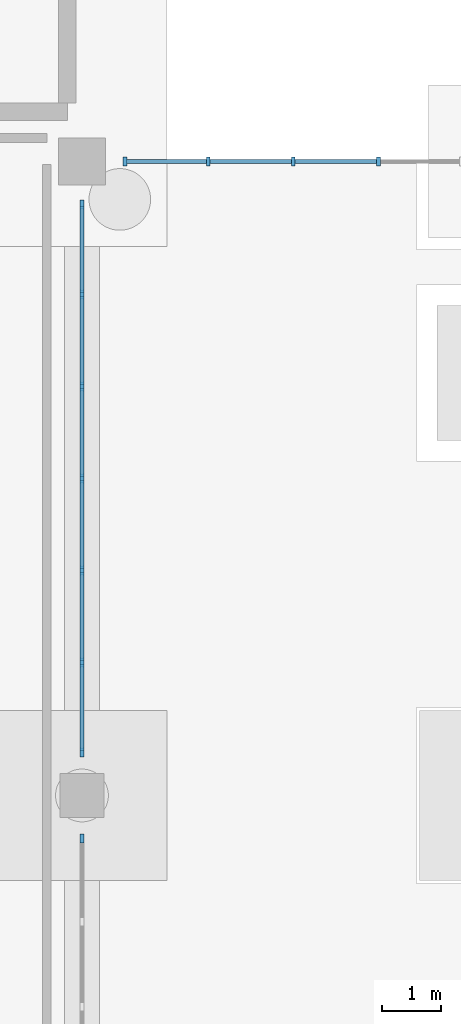
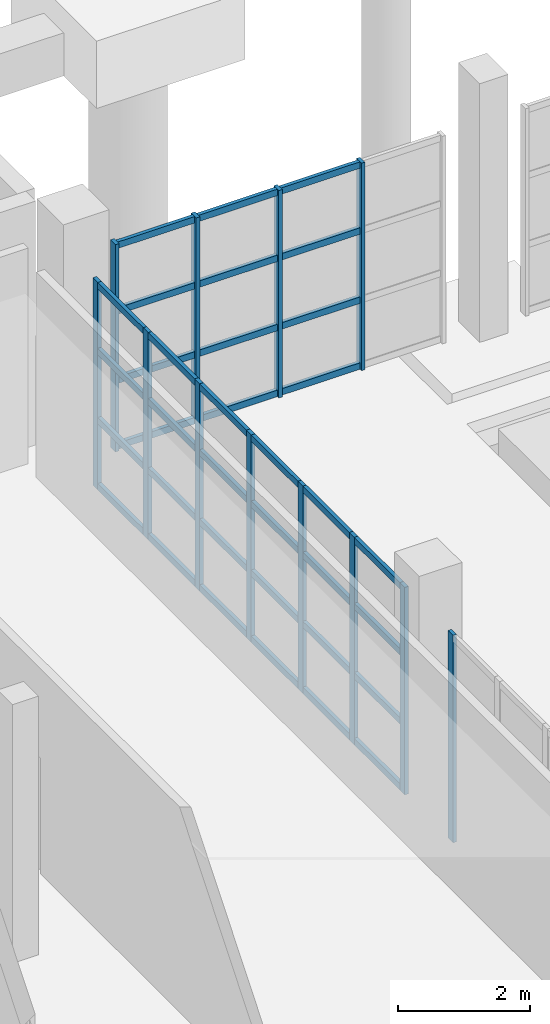
# One storey, part 45 of 285: 48 members, 3 elements without a shape of their own.
"""IFC4 building model written with IfcOpenShell, lengths in metres."""

from ifc_helpers import new_model, si_unit, direction, frame, origin, origin_2d, place, context, subcontext, project, spatial, rectangle, extrude, material, material_profile, profile_set, type_object, element, aggregate, save


model = new_model("IFC4")

# Units and contexts
model_context = context("Model", 3, precision=1e-05, world=origin(), true_north=direction((0.0, 1.0)))
body_context = subcontext(model_context, "Body", "Model", "MODEL_VIEW")
ifc_project = project(units=[si_unit("LENGTHUNIT", "METRE"), si_unit("AREAUNIT", "SQUARE_METRE"), si_unit("VOLUMEUNIT", "CUBIC_METRE"), si_unit("PLANEANGLEUNIT", "RADIAN"), si_unit("MASSUNIT", "GRAM", prefix="KILO")], contexts=[model_context])

# Site, building, storey
site_placement = place(None, origin())
site = spatial("IfcSite", under=ifc_project, at=site_placement, CompositionType="ELEMENT")
building_placement = place(site_placement, origin())
building = spatial("IfcBuilding", under=site, at=building_placement, Name="Solanera Park Tramway Depot", CompositionType="ELEMENT")
storey_placement = place(building_placement, origin())
storey = spatial("IfcBuildingStorey", under=building, at=storey_placement, Name="L00", CompositionType="ELEMENT", Elevation=0.0)

# Curtain wall, members
ifc_material_1 = material(Name="Bronze-anodised thermally broken aluminium curtain wall", Category="aluminium")
curtain_wall_type = type_object("IfcCurtainWallType", Name="Courtyard Cloister Unitised Curtain Wall", PredefinedType="NOTDEFINED", material=ifc_material_1)
curtain_wall_1_placement = place(storey_placement, origin())
curtain_wall_1 = element("IfcCurtainWall", 1, at=curtain_wall_1_placement, inside=storey, type_object=curtain_wall_type, Name="L00 Courtyard Cloister Unitised Curtain Wall #078", PredefinedType="NOTDEFINED")
ifc_material_2 = material(Name="Bronze-anodised structural aluminium 6063-T6", Category="aluminium")
ifc_material_profile_1 = material_profile(ifc_material_2, rectangle(XDim=0.06494140625, YDim=0.14990234375, at=origin_2d()), Name="Curtain Wall Mullion 65x150")
ifc_profile_set_1 = profile_set([ifc_material_profile_1], Name="Bronze-anodised structural aluminium 6063-T6")
member_type_1 = type_object("IfcMemberType", Name="Curtain Wall Mullion 65x150", PredefinedType="MULLION", material=ifc_profile_set_1)
member_1_placement = place(storey_placement, frame((127.449951171875, 43.199951171875, 0.0), z_axis=(0.0, 0.0, 1.0), x_axis=(1.0, 0.0, 0.0)))
member_1 = element("IfcMember", 2, at=member_1_placement, type_object=member_type_1, Name="CW-L00-078 Mullion 2", PredefinedType="MULLION", context=body_context, shape_type="SweptSolid", body=[
    extrude(rectangle(XDim=0.06494140625, YDim=0.14990234375, at=origin_2d()), origin(), (0.0, 0.0, 1.0), 3.85009765625),
])
member_2_placement = place(storey_placement, frame((126.0, 43.199951171875, 0.0), z_axis=(0.0, 0.0, 1.0), x_axis=(1.0, 0.0, 0.0)))
member_2 = element("IfcMember", 3, at=member_2_placement, type_object=member_type_1, Name="CW-L00-078 Mullion 3", PredefinedType="MULLION", context=body_context, shape_type="SweptSolid", body=[
    extrude(rectangle(XDim=0.06494140625, YDim=0.14990234375, at=origin_2d()), origin(), (0.0, 0.0, 1.0), 3.85009765625),
])
member_3_placement = place(storey_placement, frame((124.550048828125, 43.199951171875, 0.0), z_axis=(0.0, 0.0, 1.0), x_axis=(1.0, 0.0, 0.0)))
member_3 = element("IfcMember", 4, at=member_3_placement, type_object=member_type_1, Name="CW-L00-078 Mullion 4", PredefinedType="MULLION", context=body_context, shape_type="SweptSolid", body=[
    extrude(rectangle(XDim=0.06494140625, YDim=0.14990234375, at=origin_2d()), origin(), (0.0, 0.0, 1.0), 3.85009765625),
])
member_4_placement = place(storey_placement, frame((123.132568359375, 43.199951171875, 0.0), z_axis=(0.0, 0.0, 1.0), x_axis=(1.0, 0.0, 0.0)))
member_4 = element("IfcMember", 5, at=member_4_placement, type_object=member_type_1, Name="CW-L00-078 Mullion 5", PredefinedType="MULLION", context=body_context, shape_type="SweptSolid", body=[
    extrude(rectangle(XDim=0.06494140625, YDim=0.14990234375, at=origin_2d()), origin(), (0.0, 0.0, 1.0), 3.85009765625),
])

# Curtain wall, member
curtain_wall_2_placement = place(storey_placement, origin())
curtain_wall_2 = element("IfcCurtainWall", 6, at=curtain_wall_2_placement, inside=storey, type_object=curtain_wall_type, Name="L00 Courtyard Cloister Unitised Curtain Wall #084", PredefinedType="NOTDEFINED")
member_5_placement = place(storey_placement, frame((122.39990234375, 31.66748046875, 0.0), z_axis=(0.0, 0.0, 1.0), x_axis=(1.0, 0.0, 0.0)))
member_5 = element("IfcMember", 7, at=member_5_placement, type_object=member_type_1, Name="CW-L00-084 Mullion 5", PredefinedType="MULLION", context=body_context, shape_type="SweptSolid", body=[
    extrude(rectangle(XDim=0.06494140625, YDim=0.14990234375, at=origin_2d()), origin(), (0.0, 0.0, 1.0), 3.85009765625),
])
aggregate(curtain_wall_2, [member_5])

# Curtain wall, members
curtain_wall_3_placement = place(storey_placement, origin())
curtain_wall_3 = element("IfcCurtainWall", 8, at=curtain_wall_3_placement, inside=storey, type_object=curtain_wall_type, Name="L00 Courtyard Cloister Unitised Curtain Wall #086", PredefinedType="NOTDEFINED")
member_6_placement = place(storey_placement, frame((122.39990234375, 33.132568359375, 0.0), z_axis=(0.0, 0.0, 1.0), x_axis=(1.0, 0.0, 0.0)))
member_6 = element("IfcMember", 9, at=member_6_placement, type_object=member_type_1, Name="CW-L00-086 Mullion 1", PredefinedType="MULLION", context=body_context, shape_type="SweptSolid", body=[
    extrude(rectangle(XDim=0.06494140625, YDim=0.14990234375, at=origin_2d()), origin(), (0.0, 0.0, 1.0), 3.85009765625),
])
member_7_placement = place(storey_placement, frame((122.39990234375, 34.666748046875, 0.0), z_axis=(0.0, 0.0, 1.0), x_axis=(1.0, 0.0, 0.0)))
member_7 = element("IfcMember", 10, at=member_7_placement, type_object=member_type_1, Name="CW-L00-086 Mullion 2", PredefinedType="MULLION", context=body_context, shape_type="SweptSolid", body=[
    extrude(rectangle(XDim=0.06494140625, YDim=0.14990234375, at=origin_2d()), origin(), (0.0, 0.0, 1.0), 3.85009765625),
])
member_8_placement = place(storey_placement, frame((122.39990234375, 36.2333984375, 0.0), z_axis=(0.0, 0.0, 1.0), x_axis=(1.0, 0.0, 0.0)))
member_8 = element("IfcMember", 11, at=member_8_placement, type_object=member_type_1, Name="CW-L00-086 Mullion 3", PredefinedType="MULLION", context=body_context, shape_type="SweptSolid", body=[
    extrude(rectangle(XDim=0.06494140625, YDim=0.14990234375, at=origin_2d()), origin(), (0.0, 0.0, 1.0), 3.85009765625),
])
member_9_placement = place(storey_placement, frame((122.39990234375, 37.800048828125, 0.0), z_axis=(0.0, 0.0, 1.0), x_axis=(1.0, 0.0, 0.0)))
member_9 = element("IfcMember", 12, at=member_9_placement, type_object=member_type_1, Name="CW-L00-086 Mullion 4", PredefinedType="MULLION", context=body_context, shape_type="SweptSolid", body=[
    extrude(rectangle(XDim=0.06494140625, YDim=0.14990234375, at=origin_2d()), origin(), (0.0, 0.0, 1.0), 3.85009765625),
])
member_10_placement = place(storey_placement, frame((122.39990234375, 39.36669921875, 0.0), z_axis=(0.0, 0.0, 1.0), x_axis=(1.0, 0.0, 0.0)))
member_10 = element("IfcMember", 13, at=member_10_placement, type_object=member_type_1, Name="CW-L00-086 Mullion 5", PredefinedType="MULLION", context=body_context, shape_type="SweptSolid", body=[
    extrude(rectangle(XDim=0.06494140625, YDim=0.14990234375, at=origin_2d()), origin(), (0.0, 0.0, 1.0), 3.85009765625),
])
member_11_placement = place(storey_placement, frame((122.39990234375, 40.933349609375, 0.0), z_axis=(0.0, 0.0, 1.0), x_axis=(1.0, 0.0, 0.0)))
member_11 = element("IfcMember", 14, at=member_11_placement, type_object=member_type_1, Name="CW-L00-086 Mullion 6", PredefinedType="MULLION", context=body_context, shape_type="SweptSolid", body=[
    extrude(rectangle(XDim=0.06494140625, YDim=0.14990234375, at=origin_2d()), origin(), (0.0, 0.0, 1.0), 3.85009765625),
])
member_12_placement = place(storey_placement, frame((122.39990234375, 42.467529296875, 0.0), z_axis=(0.0, 0.0, 1.0), x_axis=(1.0, 0.0, 0.0)))
member_12 = element("IfcMember", 15, at=member_12_placement, type_object=member_type_1, Name="CW-L00-086 Mullion 7", PredefinedType="MULLION", context=body_context, shape_type="SweptSolid", body=[
    extrude(rectangle(XDim=0.06494140625, YDim=0.14990234375, at=origin_2d()), origin(), (0.0, 0.0, 1.0), 3.85009765625),
])

# Member
ifc_material_3 = material(Name="Bronze-anodised structural aluminium 6063-T6", Category="aluminium")
ifc_material_profile_2 = material_profile(ifc_material_3, rectangle(XDim=0.06494140625, YDim=0.1201171875, at=origin_2d()), Name="Curtain Wall Transom 65x120")
ifc_profile_set_2 = profile_set([ifc_material_profile_2], Name="Bronze-anodised structural aluminium 6063-T6")
member_type_2 = type_object("IfcMemberType", Name="Curtain Wall Transom 65x120", PredefinedType="USERDEFINED", material=ifc_profile_set_2)
member_13_placement = place(storey_placement, frame((127.422119140625, 43.199951171875, 0.06005859375), z_axis=(-1.0, 0.0, 0.0), x_axis=(0.0, -1.0, 0.0)))
member_13 = element("IfcMember", 16, at=member_13_placement, type_object=member_type_2, Name="CW-L00-078 Transom R1.C2", ObjectType="TRANSOM", PredefinedType="USERDEFINED", context=body_context, shape_type="SweptSolid", body=[
    extrude(rectangle(XDim=0.06494140625, YDim=0.1201171875, at=origin_2d()), origin(), (0.0, 0.0, 1.0), 1.39404296875),
])

member_14_placement = place(storey_placement, frame((125.971923828125, 43.199951171875, 0.06005859375), z_axis=(-1.0, 0.0, 0.0), x_axis=(0.0, -1.0, 0.0)))
member_14 = element("IfcMember", 17, at=member_14_placement, type_object=member_type_2, Name="CW-L00-078 Transom R1.C3", ObjectType="TRANSOM", PredefinedType="USERDEFINED", context=body_context, shape_type="SweptSolid", body=[
    extrude(rectangle(XDim=0.06494140625, YDim=0.1201171875, at=origin_2d()), origin(), (0.0, 0.0, 1.0), 1.39404296875),
])

member_15_placement = place(storey_placement, frame((124.52197265625, 43.199951171875, 0.06005859375), z_axis=(-1.0, 0.0, 0.0), x_axis=(0.0, -1.0, 0.0)))
member_15 = element("IfcMember", 18, at=member_15_placement, type_object=member_type_2, Name="CW-L00-078 Transom R1.C4", ObjectType="TRANSOM", PredefinedType="USERDEFINED", context=body_context, shape_type="SweptSolid", body=[
    extrude(rectangle(XDim=0.06494140625, YDim=0.1201171875, at=origin_2d()), origin(), (0.0, 0.0, 1.0), 1.361572265625),
])

member_16_placement = place(storey_placement, frame((127.422119140625, 43.199951171875, 1.283203125), z_axis=(-1.0, 0.0, 0.0), x_axis=(0.0, -1.0, 0.0)))
member_16 = element("IfcMember", 19, at=member_16_placement, type_object=member_type_2, Name="CW-L00-078 Transom R2.C2", ObjectType="TRANSOM", PredefinedType="USERDEFINED", context=body_context, shape_type="SweptSolid", body=[
    extrude(rectangle(XDim=0.06494140625, YDim=0.1201171875, at=origin_2d()), origin(), (0.0, 0.0, 1.0), 1.39404296875),
])

member_17_placement = place(storey_placement, frame((125.971923828125, 43.199951171875, 1.283203125), z_axis=(-1.0, 0.0, 0.0), x_axis=(0.0, -1.0, 0.0)))
member_17 = element("IfcMember", 20, at=member_17_placement, type_object=member_type_2, Name="CW-L00-078 Transom R2.C3", ObjectType="TRANSOM", PredefinedType="USERDEFINED", context=body_context, shape_type="SweptSolid", body=[
    extrude(rectangle(XDim=0.06494140625, YDim=0.1201171875, at=origin_2d()), origin(), (0.0, 0.0, 1.0), 1.39404296875),
])

member_18_placement = place(storey_placement, frame((124.52197265625, 43.199951171875, 1.283203125), z_axis=(-1.0, 0.0, 0.0), x_axis=(0.0, -1.0, 0.0)))
member_18 = element("IfcMember", 21, at=member_18_placement, type_object=member_type_2, Name="CW-L00-078 Transom R2.C4", ObjectType="TRANSOM", PredefinedType="USERDEFINED", context=body_context, shape_type="SweptSolid", body=[
    extrude(rectangle(XDim=0.06494140625, YDim=0.1201171875, at=origin_2d()), origin(), (0.0, 0.0, 1.0), 1.361572265625),
])

member_19_placement = place(storey_placement, frame((127.422119140625, 43.199951171875, 2.566650390625), z_axis=(-1.0, 0.0, 0.0), x_axis=(0.0, -1.0, 0.0)))
member_19 = element("IfcMember", 22, at=member_19_placement, type_object=member_type_2, Name="CW-L00-078 Transom R3.C2", ObjectType="TRANSOM", PredefinedType="USERDEFINED", context=body_context, shape_type="SweptSolid", body=[
    extrude(rectangle(XDim=0.06494140625, YDim=0.1201171875, at=origin_2d()), origin(), (0.0, 0.0, 1.0), 1.39404296875),
])

member_20_placement = place(storey_placement, frame((125.971923828125, 43.199951171875, 2.566650390625), z_axis=(-1.0, 0.0, 0.0), x_axis=(0.0, -1.0, 0.0)))
member_20 = element("IfcMember", 23, at=member_20_placement, type_object=member_type_2, Name="CW-L00-078 Transom R3.C3", ObjectType="TRANSOM", PredefinedType="USERDEFINED", context=body_context, shape_type="SweptSolid", body=[
    extrude(rectangle(XDim=0.06494140625, YDim=0.1201171875, at=origin_2d()), origin(), (0.0, 0.0, 1.0), 1.39404296875),
])

member_21_placement = place(storey_placement, frame((124.52197265625, 43.199951171875, 2.566650390625), z_axis=(-1.0, 0.0, 0.0), x_axis=(0.0, -1.0, 0.0)))
member_21 = element("IfcMember", 24, at=member_21_placement, type_object=member_type_2, Name="CW-L00-078 Transom R3.C4", ObjectType="TRANSOM", PredefinedType="USERDEFINED", context=body_context, shape_type="SweptSolid", body=[
    extrude(rectangle(XDim=0.06494140625, YDim=0.1201171875, at=origin_2d()), origin(), (0.0, 0.0, 1.0), 1.361572265625),
])

member_22_placement = place(storey_placement, frame((127.422119140625, 43.199951171875, 3.7900390625), z_axis=(-1.0, 0.0, 0.0), x_axis=(0.0, -1.0, 0.0)))
member_22 = element("IfcMember", 25, at=member_22_placement, type_object=member_type_2, Name="CW-L00-078 Transom R4.C2", ObjectType="TRANSOM", PredefinedType="USERDEFINED", context=body_context, shape_type="SweptSolid", body=[
    extrude(rectangle(XDim=0.06494140625, YDim=0.1201171875, at=origin_2d()), origin(), (0.0, 0.0, 1.0), 1.39404296875),
])

member_23_placement = place(storey_placement, frame((125.971923828125, 43.199951171875, 3.7900390625), z_axis=(-1.0, 0.0, 0.0), x_axis=(0.0, -1.0, 0.0)))
member_23 = element("IfcMember", 26, at=member_23_placement, type_object=member_type_2, Name="CW-L00-078 Transom R4.C3", ObjectType="TRANSOM", PredefinedType="USERDEFINED", context=body_context, shape_type="SweptSolid", body=[
    extrude(rectangle(XDim=0.06494140625, YDim=0.1201171875, at=origin_2d()), origin(), (0.0, 0.0, 1.0), 1.39404296875),
])

member_24_placement = place(storey_placement, frame((124.52197265625, 43.199951171875, 3.7900390625), z_axis=(-1.0, 0.0, 0.0), x_axis=(0.0, -1.0, 0.0)))
member_24 = element("IfcMember", 27, at=member_24_placement, type_object=member_type_2, Name="CW-L00-078 Transom R4.C4", ObjectType="TRANSOM", PredefinedType="USERDEFINED", context=body_context, shape_type="SweptSolid", body=[
    extrude(rectangle(XDim=0.06494140625, YDim=0.1201171875, at=origin_2d()), origin(), (0.0, 0.0, 1.0), 1.361572265625),
])

aggregate(curtain_wall_1, [member_1, member_2, member_3, member_4, member_13, member_14, member_15, member_16, member_17, member_18, member_19, member_20, member_21, member_22, member_23, member_24])

member_25_placement = place(storey_placement, frame((122.39990234375, 33.160400390625, 0.06005859375), z_axis=(0.0, 1.0, 0.0), x_axis=(-1.0, 0.0, 0.0)))
member_25 = element("IfcMember", 28, at=member_25_placement, type_object=member_type_2, Name="CW-L00-086 Transom R1.C1", ObjectType="TRANSOM", PredefinedType="USERDEFINED", context=body_context, shape_type="SweptSolid", body=[
    extrude(rectangle(XDim=0.06494140625, YDim=0.1201171875, at=origin_2d()), origin(), (0.0, 0.0, 1.0), 1.478271484375),
])

member_26_placement = place(storey_placement, frame((122.39990234375, 34.694580078125, 0.06005859375), z_axis=(0.0, 1.0, 0.0), x_axis=(-1.0, 0.0, 0.0)))
member_26 = element("IfcMember", 29, at=member_26_placement, type_object=member_type_2, Name="CW-L00-086 Transom R1.C2", ObjectType="TRANSOM", PredefinedType="USERDEFINED", context=body_context, shape_type="SweptSolid", body=[
    extrude(rectangle(XDim=0.06494140625, YDim=0.1201171875, at=origin_2d()), origin(), (0.0, 0.0, 1.0), 1.5107421875),
])

member_27_placement = place(storey_placement, frame((122.39990234375, 36.26123046875, 0.06005859375), z_axis=(0.0, 1.0, 0.0), x_axis=(-1.0, 0.0, 0.0)))
member_27 = element("IfcMember", 30, at=member_27_placement, type_object=member_type_2, Name="CW-L00-086 Transom R1.C3", ObjectType="TRANSOM", PredefinedType="USERDEFINED", context=body_context, shape_type="SweptSolid", body=[
    extrude(rectangle(XDim=0.06494140625, YDim=0.1201171875, at=origin_2d()), origin(), (0.0, 0.0, 1.0), 1.5107421875),
])

member_28_placement = place(storey_placement, frame((122.39990234375, 37.827880859375, 0.06005859375), z_axis=(0.0, 1.0, 0.0), x_axis=(-1.0, 0.0, 0.0)))
member_28 = element("IfcMember", 31, at=member_28_placement, type_object=member_type_2, Name="CW-L00-086 Transom R1.C4", ObjectType="TRANSOM", PredefinedType="USERDEFINED", context=body_context, shape_type="SweptSolid", body=[
    extrude(rectangle(XDim=0.06494140625, YDim=0.1201171875, at=origin_2d()), origin(), (0.0, 0.0, 1.0), 1.5107421875),
])

member_29_placement = place(storey_placement, frame((122.39990234375, 39.394775390625, 0.06005859375), z_axis=(0.0, 1.0, 0.0), x_axis=(-1.0, 0.0, 0.0)))
member_29 = element("IfcMember", 32, at=member_29_placement, type_object=member_type_2, Name="CW-L00-086 Transom R1.C5", ObjectType="TRANSOM", PredefinedType="USERDEFINED", context=body_context, shape_type="SweptSolid", body=[
    extrude(rectangle(XDim=0.06494140625, YDim=0.1201171875, at=origin_2d()), origin(), (0.0, 0.0, 1.0), 1.510498046875),
])

member_30_placement = place(storey_placement, frame((122.39990234375, 40.961181640625, 0.06005859375), z_axis=(0.0, 1.0, 0.0), x_axis=(-1.0, 0.0, 0.0)))
member_30 = element("IfcMember", 33, at=member_30_placement, type_object=member_type_2, Name="CW-L00-086 Transom R1.C6", ObjectType="TRANSOM", PredefinedType="USERDEFINED", context=body_context, shape_type="SweptSolid", body=[
    extrude(rectangle(XDim=0.06494140625, YDim=0.1201171875, at=origin_2d()), origin(), (0.0, 0.0, 1.0), 1.478271484375),
])

member_31_placement = place(storey_placement, frame((122.39990234375, 33.160400390625, 1.283203125), z_axis=(0.0, 1.0, 0.0), x_axis=(-1.0, 0.0, 0.0)))
member_31 = element("IfcMember", 34, at=member_31_placement, type_object=member_type_2, Name="CW-L00-086 Transom R2.C1", ObjectType="TRANSOM", PredefinedType="USERDEFINED", context=body_context, shape_type="SweptSolid", body=[
    extrude(rectangle(XDim=0.06494140625, YDim=0.1201171875, at=origin_2d()), origin(), (0.0, 0.0, 1.0), 1.478271484375),
])

member_32_placement = place(storey_placement, frame((122.39990234375, 34.694580078125, 1.283203125), z_axis=(0.0, 1.0, 0.0), x_axis=(-1.0, 0.0, 0.0)))
member_32 = element("IfcMember", 35, at=member_32_placement, type_object=member_type_2, Name="CW-L00-086 Transom R2.C2", ObjectType="TRANSOM", PredefinedType="USERDEFINED", context=body_context, shape_type="SweptSolid", body=[
    extrude(rectangle(XDim=0.06494140625, YDim=0.1201171875, at=origin_2d()), origin(), (0.0, 0.0, 1.0), 1.5107421875),
])

member_33_placement = place(storey_placement, frame((122.39990234375, 36.26123046875, 1.283203125), z_axis=(0.0, 1.0, 0.0), x_axis=(-1.0, 0.0, 0.0)))
member_33 = element("IfcMember", 36, at=member_33_placement, type_object=member_type_2, Name="CW-L00-086 Transom R2.C3", ObjectType="TRANSOM", PredefinedType="USERDEFINED", context=body_context, shape_type="SweptSolid", body=[
    extrude(rectangle(XDim=0.06494140625, YDim=0.1201171875, at=origin_2d()), origin(), (0.0, 0.0, 1.0), 1.5107421875),
])

member_34_placement = place(storey_placement, frame((122.39990234375, 37.827880859375, 1.283203125), z_axis=(0.0, 1.0, 0.0), x_axis=(-1.0, 0.0, 0.0)))
member_34 = element("IfcMember", 37, at=member_34_placement, type_object=member_type_2, Name="CW-L00-086 Transom R2.C4", ObjectType="TRANSOM", PredefinedType="USERDEFINED", context=body_context, shape_type="SweptSolid", body=[
    extrude(rectangle(XDim=0.06494140625, YDim=0.1201171875, at=origin_2d()), origin(), (0.0, 0.0, 1.0), 1.5107421875),
])

member_35_placement = place(storey_placement, frame((122.39990234375, 39.394775390625, 1.283203125), z_axis=(0.0, 1.0, 0.0), x_axis=(-1.0, 0.0, 0.0)))
member_35 = element("IfcMember", 38, at=member_35_placement, type_object=member_type_2, Name="CW-L00-086 Transom R2.C5", ObjectType="TRANSOM", PredefinedType="USERDEFINED", context=body_context, shape_type="SweptSolid", body=[
    extrude(rectangle(XDim=0.06494140625, YDim=0.1201171875, at=origin_2d()), origin(), (0.0, 0.0, 1.0), 1.510498046875),
])

member_36_placement = place(storey_placement, frame((122.39990234375, 40.961181640625, 1.283203125), z_axis=(0.0, 1.0, 0.0), x_axis=(-1.0, 0.0, 0.0)))
member_36 = element("IfcMember", 39, at=member_36_placement, type_object=member_type_2, Name="CW-L00-086 Transom R2.C6", ObjectType="TRANSOM", PredefinedType="USERDEFINED", context=body_context, shape_type="SweptSolid", body=[
    extrude(rectangle(XDim=0.06494140625, YDim=0.1201171875, at=origin_2d()), origin(), (0.0, 0.0, 1.0), 1.478271484375),
])

member_37_placement = place(storey_placement, frame((122.39990234375, 33.160400390625, 2.566650390625), z_axis=(0.0, 1.0, 0.0), x_axis=(-1.0, 0.0, 0.0)))
member_37 = element("IfcMember", 40, at=member_37_placement, type_object=member_type_2, Name="CW-L00-086 Transom R3.C1", ObjectType="TRANSOM", PredefinedType="USERDEFINED", context=body_context, shape_type="SweptSolid", body=[
    extrude(rectangle(XDim=0.06494140625, YDim=0.1201171875, at=origin_2d()), origin(), (0.0, 0.0, 1.0), 1.478271484375),
])

member_38_placement = place(storey_placement, frame((122.39990234375, 34.694580078125, 2.566650390625), z_axis=(0.0, 1.0, 0.0), x_axis=(-1.0, 0.0, 0.0)))
member_38 = element("IfcMember", 41, at=member_38_placement, type_object=member_type_2, Name="CW-L00-086 Transom R3.C2", ObjectType="TRANSOM", PredefinedType="USERDEFINED", context=body_context, shape_type="SweptSolid", body=[
    extrude(rectangle(XDim=0.06494140625, YDim=0.1201171875, at=origin_2d()), origin(), (0.0, 0.0, 1.0), 1.5107421875),
])

member_39_placement = place(storey_placement, frame((122.39990234375, 36.26123046875, 2.566650390625), z_axis=(0.0, 1.0, 0.0), x_axis=(-1.0, 0.0, 0.0)))
member_39 = element("IfcMember", 42, at=member_39_placement, type_object=member_type_2, Name="CW-L00-086 Transom R3.C3", ObjectType="TRANSOM", PredefinedType="USERDEFINED", context=body_context, shape_type="SweptSolid", body=[
    extrude(rectangle(XDim=0.06494140625, YDim=0.1201171875, at=origin_2d()), origin(), (0.0, 0.0, 1.0), 1.5107421875),
])

member_40_placement = place(storey_placement, frame((122.39990234375, 37.827880859375, 2.566650390625), z_axis=(0.0, 1.0, 0.0), x_axis=(-1.0, 0.0, 0.0)))
member_40 = element("IfcMember", 43, at=member_40_placement, type_object=member_type_2, Name="CW-L00-086 Transom R3.C4", ObjectType="TRANSOM", PredefinedType="USERDEFINED", context=body_context, shape_type="SweptSolid", body=[
    extrude(rectangle(XDim=0.06494140625, YDim=0.1201171875, at=origin_2d()), origin(), (0.0, 0.0, 1.0), 1.5107421875),
])

member_41_placement = place(storey_placement, frame((122.39990234375, 39.394775390625, 2.566650390625), z_axis=(0.0, 1.0, 0.0), x_axis=(-1.0, 0.0, 0.0)))
member_41 = element("IfcMember", 44, at=member_41_placement, type_object=member_type_2, Name="CW-L00-086 Transom R3.C5", ObjectType="TRANSOM", PredefinedType="USERDEFINED", context=body_context, shape_type="SweptSolid", body=[
    extrude(rectangle(XDim=0.06494140625, YDim=0.1201171875, at=origin_2d()), origin(), (0.0, 0.0, 1.0), 1.510498046875),
])

member_42_placement = place(storey_placement, frame((122.39990234375, 40.961181640625, 2.566650390625), z_axis=(0.0, 1.0, 0.0), x_axis=(-1.0, 0.0, 0.0)))
member_42 = element("IfcMember", 45, at=member_42_placement, type_object=member_type_2, Name="CW-L00-086 Transom R3.C6", ObjectType="TRANSOM", PredefinedType="USERDEFINED", context=body_context, shape_type="SweptSolid", body=[
    extrude(rectangle(XDim=0.06494140625, YDim=0.1201171875, at=origin_2d()), origin(), (0.0, 0.0, 1.0), 1.478271484375),
])

member_43_placement = place(storey_placement, frame((122.39990234375, 33.160400390625, 3.7900390625), z_axis=(0.0, 1.0, 0.0), x_axis=(-1.0, 0.0, 0.0)))
member_43 = element("IfcMember", 46, at=member_43_placement, type_object=member_type_2, Name="CW-L00-086 Transom R4.C1", ObjectType="TRANSOM", PredefinedType="USERDEFINED", context=body_context, shape_type="SweptSolid", body=[
    extrude(rectangle(XDim=0.06494140625, YDim=0.1201171875, at=origin_2d()), origin(), (0.0, 0.0, 1.0), 1.478271484375),
])

member_44_placement = place(storey_placement, frame((122.39990234375, 34.694580078125, 3.7900390625), z_axis=(0.0, 1.0, 0.0), x_axis=(-1.0, 0.0, 0.0)))
member_44 = element("IfcMember", 47, at=member_44_placement, type_object=member_type_2, Name="CW-L00-086 Transom R4.C2", ObjectType="TRANSOM", PredefinedType="USERDEFINED", context=body_context, shape_type="SweptSolid", body=[
    extrude(rectangle(XDim=0.06494140625, YDim=0.1201171875, at=origin_2d()), origin(), (0.0, 0.0, 1.0), 1.5107421875),
])

member_45_placement = place(storey_placement, frame((122.39990234375, 36.26123046875, 3.7900390625), z_axis=(0.0, 1.0, 0.0), x_axis=(-1.0, 0.0, 0.0)))
member_45 = element("IfcMember", 48, at=member_45_placement, type_object=member_type_2, Name="CW-L00-086 Transom R4.C3", ObjectType="TRANSOM", PredefinedType="USERDEFINED", context=body_context, shape_type="SweptSolid", body=[
    extrude(rectangle(XDim=0.06494140625, YDim=0.1201171875, at=origin_2d()), origin(), (0.0, 0.0, 1.0), 1.5107421875),
])

member_46_placement = place(storey_placement, frame((122.39990234375, 37.827880859375, 3.7900390625), z_axis=(0.0, 1.0, 0.0), x_axis=(-1.0, 0.0, 0.0)))
member_46 = element("IfcMember", 49, at=member_46_placement, type_object=member_type_2, Name="CW-L00-086 Transom R4.C4", ObjectType="TRANSOM", PredefinedType="USERDEFINED", context=body_context, shape_type="SweptSolid", body=[
    extrude(rectangle(XDim=0.06494140625, YDim=0.1201171875, at=origin_2d()), origin(), (0.0, 0.0, 1.0), 1.5107421875),
])

member_47_placement = place(storey_placement, frame((122.39990234375, 39.394775390625, 3.7900390625), z_axis=(0.0, 1.0, 0.0), x_axis=(-1.0, 0.0, 0.0)))
member_47 = element("IfcMember", 50, at=member_47_placement, type_object=member_type_2, Name="CW-L00-086 Transom R4.C5", ObjectType="TRANSOM", PredefinedType="USERDEFINED", context=body_context, shape_type="SweptSolid", body=[
    extrude(rectangle(XDim=0.06494140625, YDim=0.1201171875, at=origin_2d()), origin(), (0.0, 0.0, 1.0), 1.510498046875),
])

member_48_placement = place(storey_placement, frame((122.39990234375, 40.961181640625, 3.7900390625), z_axis=(0.0, 1.0, 0.0), x_axis=(-1.0, 0.0, 0.0)))
member_48 = element("IfcMember", 51, at=member_48_placement, type_object=member_type_2, Name="CW-L00-086 Transom R4.C6", ObjectType="TRANSOM", PredefinedType="USERDEFINED", context=body_context, shape_type="SweptSolid", body=[
    extrude(rectangle(XDim=0.06494140625, YDim=0.1201171875, at=origin_2d()), origin(), (0.0, 0.0, 1.0), 1.478271484375),
])

aggregate(curtain_wall_3, [member_6, member_7, member_8, member_9, member_10, member_11, member_12, member_25, member_26, member_27, member_28, member_29, member_30, member_31, member_32, member_33, member_34, member_35, member_36, member_37, member_38, member_39, member_40, member_41, member_42, member_43, member_44, member_45, member_46, member_47, member_48])

save(model, "model.ifc")
